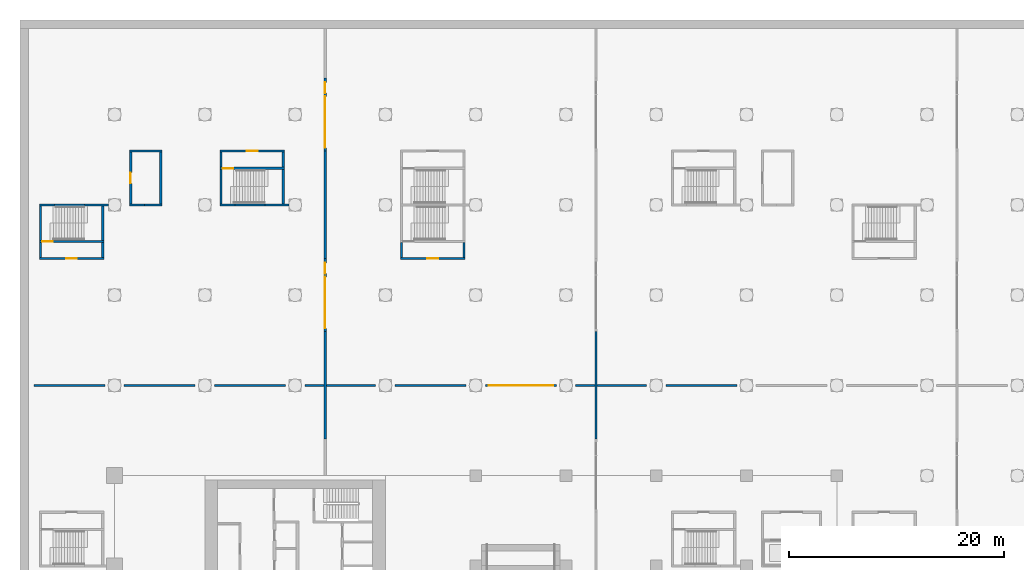
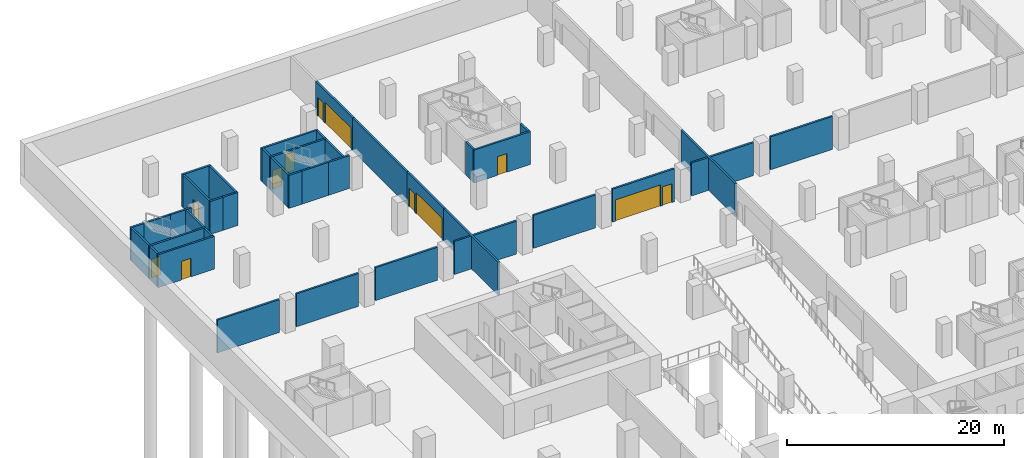
# One storey, part 9 of 19: 41 walls, 12 doors, 12 openings.
"""IFC4 building model written with IfcOpenShell, lengths in metres."""

from ifc_helpers import new_model, si_unit, direction, frame, frame_2d, origin, place, context, subcontext, project, spatial, rectangle, extrude, material, layer, layer_set, type_object, element, fill, save


model = new_model("IFC4")

# Units and contexts
model_context = context("Model", 3, precision=1e-05, world=origin(), true_north=direction((0.0, 1.0)))
body_context = subcontext(model_context, "Body", "Model", "MODEL_VIEW")
ifc_project = project(units=[si_unit("LENGTHUNIT", "METRE"), si_unit("AREAUNIT", "SQUARE_METRE"), si_unit("VOLUMEUNIT", "CUBIC_METRE"), si_unit("PLANEANGLEUNIT", "RADIAN"), si_unit("MASSUNIT", "GRAM", prefix="KILO")], contexts=[model_context])

# Site, building, storey
site_placement = place(None, origin())
site = spatial("IfcSite", under=ifc_project, at=site_placement, CompositionType="ELEMENT")
building_placement = place(site_placement, origin())
building = spatial("IfcBuilding", under=site, at=building_placement, Name="Vermilion Gate Residences", CompositionType="ELEMENT")
storey_placement = place(building_placement, frame((0.0, 0.0, -8.0)))
storey = spatial("IfcBuildingStorey", under=building, at=storey_placement, Name="B2", CompositionType="ELEMENT", Elevation=-8.0)

# Wall, opening, door
ifc_material_1 = material(Name="Concrete blockwork", Category="masonry")
ifc_layer_1 = layer(ifc_material_1, 0.199951171875)
ifc_layer_set_1 = layer_set([ifc_layer_1], Name="FIRE WALL 200 EI 120 (AMENITY)")
wall_type_1 = type_object("IfcWallType", Name="FIRE WALL 200 EI 120 (AMENITY)", PredefinedType="PARTITIONING", material=ifc_layer_set_1)
wall_1_placement = place(storey_placement, frame((1.5, 84.10009765625, 0.0), z_axis=(0.0, 0.0, 1.0), x_axis=(0.0, 1.0, 0.0)))
wall_1 = element("IfcWall", 1, at=wall_1_placement, inside=storey, type_object=wall_type_1, Name="Fire-resisting wall 35", PredefinedType="PARTITIONING", context=body_context, shape_type="SweptSolid", body=[
    extrude(rectangle(XDim=4.7998046875, YDim=0.199951171875, at=frame_2d((2.39990234375, 0.0))), origin(), (0.0, 0.0, 1.0), 3.699951171875),
])
opening_1_placement = place(wall_1_placement, frame((1.89990234375, 0.0, 0.0)))
opening_1 = element("IfcOpeningElement", 2, at=opening_1_placement, cuts=wall_1, Name="Opening DMB2045", PredefinedType="OPENING", context=body_context, shape_type="SweptSolid", body=[
    extrude(rectangle(XDim=1.0, YDim=2.10009765625, at=frame_2d((0.5, 1.050048828125))), frame((0.0, 0.10986328125, 0.0), z_axis=(0.0, -1.0, 0.0), x_axis=(1.0, 0.0, 0.0)), (0.0, 0.0, 1.0), 0.219970703125),
])
ifc_material_2 = material(Name="Steel", Category="steel")
door_type_1 = type_object("IfcDoorType", Name="DOOR 1000 X 2100 FD60 (AMENITY)", OperationType="SINGLE_SWING_LEFT", PredefinedType="DOOR", material=ifc_material_2)
door_1_placement = place(opening_1_placement, origin())
door_1 = element("IfcDoor", 3, at=door_1_placement, inside=storey, type_object=door_type_1, Name="Door B2 45", OperationType="SINGLE_SWING_LEFT", OverallHeight=2.10009765625, OverallWidth=1.0, PredefinedType="DOOR", context=body_context, shape_type="SweptSolid", body=[
    extrude(rectangle(XDim=1.0, YDim=2.10009765625, at=frame_2d((0.5, 1.050048828125))), frame((0.0, 0.02490234375, 0.0), z_axis=(0.0, -1.0, 0.0), x_axis=(1.0, 0.0, 0.0)), (0.0, 0.0, 1.0), 0.050048828125),
])
fill(opening_1, door_1)

# Walls
wall_2_placement = place(storey_placement, frame((1.39990234375, 84.0, 0.0), z_axis=(0.0, 0.0, 1.0), x_axis=(1.0, 0.0, 0.0)))
element("IfcWall", 4, at=wall_2_placement, inside=storey, type_object=wall_type_1, Name="Fire-resisting wall 36", PredefinedType="PARTITIONING", context=body_context, shape_type="SweptSolid", body=[
    extrude(rectangle(XDim=1.400146484375, YDim=0.199951171875, at=frame_2d((0.7001953125, 0.0))), origin(), (0.0, 0.0, 1.0), 3.699951171875),
])
wall_3_placement = place(storey_placement, frame((1.39990234375, 89.0, 0.0), z_axis=(0.0, 0.0, 1.0), x_axis=(1.0, 0.0, 0.0)))
element("IfcWall", 5, at=wall_3_placement, inside=storey, type_object=wall_type_1, Name="Fire-resisting wall 37", PredefinedType="PARTITIONING", context=body_context, shape_type="SweptSolid", body=[
    extrude(rectangle(XDim=3.0, YDim=0.199951171875, at=frame_2d((1.5, 0.0))), origin(), (0.0, 0.0, 1.0), 3.699951171875),
])
wall_4_placement = place(storey_placement, frame((2.800048828125, 84.0, 0.0), z_axis=(0.0, 0.0, 1.0), x_axis=(1.0, 0.0, 0.0)))
element("IfcWall", 6, at=wall_4_placement, inside=storey, type_object=wall_type_1, Name="Fire-resisting wall 38", PredefinedType="PARTITIONING", context=body_context, shape_type="SweptSolid", body=[
    extrude(rectangle(XDim=1.599853515625, YDim=0.199951171875, at=frame_2d((0.7998046875, 0.0))), origin(), (0.0, 0.0, 1.0), 3.699951171875),
])
wall_5_placement = place(storey_placement, frame((4.300048828125, 84.10009765625, 0.0), z_axis=(0.0, 0.0, 1.0), x_axis=(0.0, 1.0, 0.0)))
element("IfcWall", 7, at=wall_5_placement, inside=storey, type_object=wall_type_1, Name="Fire-resisting wall 39", PredefinedType="PARTITIONING", context=body_context, shape_type="SweptSolid", body=[
    extrude(rectangle(XDim=4.7998046875, YDim=0.199951171875, at=frame_2d((2.39990234375, 0.0))), origin(), (0.0, 0.0, 1.0), 3.699951171875),
])
ifc_material_3 = material(Name="Concrete blockwork", Category="masonry")
ifc_layer_2 = layer(ifc_material_3, 0.199951171875)
ifc_layer_set_2 = layer_set([ifc_layer_2], Name="GARAGE FIRE WALL 200 EI 120 (AMENITY)")
wall_type_2 = type_object("IfcWallType", Name="GARAGE FIRE WALL 200 EI 120 (AMENITY)", PredefinedType="PARTITIONING", material=ifc_layer_set_2)
wall_6_placement = place(storey_placement, frame((19.60009765625, 62.199951171875, 0.0), z_axis=(0.0, 0.0, 1.0), x_axis=(0.0, 1.0, 0.0)))
element("IfcWall", 8, at=wall_6_placement, inside=storey, type_object=wall_type_2, Name="Fire compartment wall", PredefinedType="PARTITIONING", context=body_context, shape_type="SweptSolid", body=[
    extrude(rectangle(XDim=10.0, YDim=0.199951171875, at=frame_2d((5.0, 0.0))), origin(), (0.0, 0.0, 1.0), 3.699951171875),
])

# Wall, openings, doors
wall_7_placement = place(storey_placement, frame((19.60009765625, 72.199951171875, 0.0), z_axis=(0.0, 0.0, 1.0), x_axis=(0.0, 1.0, 0.0)))
wall_7 = element("IfcWall", 9, at=wall_7_placement, inside=storey, type_object=wall_type_2, Name="Fire compartment wall", PredefinedType="PARTITIONING", context=body_context, shape_type="SweptSolid", body=[
    extrude(rectangle(XDim=6.800048828125, YDim=0.199951171875, at=frame_2d((3.39990234375, 0.0))), origin(), (0.0, 0.0, 1.0), 3.699951171875),
])
opening_2_placement = place(wall_7_placement, frame((0.300048828125, 0.0, 0.0)))
opening_2 = element("IfcOpeningElement", 10, at=opening_2_placement, cuts=wall_7, Name="Opening DGB2005", PredefinedType="OPENING", context=body_context, shape_type="SweptSolid", body=[
    extrude(rectangle(XDim=4.800048828125, YDim=2.39990234375, at=frame_2d((2.39990234375, 1.199951171875))), frame((0.0, 0.10986328125, 0.0), z_axis=(0.0, -1.0, 0.0), x_axis=(1.0, 0.0, 0.0)), (0.0, 0.0, 1.0), 0.219970703125),
])
opening_3_placement = place(wall_7_placement, frame((5.39990234375, 0.0, 0.0)))
opening_3 = element("IfcOpeningElement", 11, at=opening_3_placement, cuts=wall_7, Name="Opening DGB2006", PredefinedType="OPENING", context=body_context, shape_type="SweptSolid", body=[
    extrude(rectangle(XDim=1.0, YDim=2.10009765625, at=frame_2d((0.5, 1.050048828125))), frame((0.0, 0.10986328125, 0.0), z_axis=(0.0, -1.0, 0.0), x_axis=(1.0, 0.0, 0.0)), (0.0, 0.0, 1.0), 0.219970703125),
])
ifc_material_4 = material(Name="Steel", Category="steel")
door_type_2 = type_object("IfcDoorType", Name="DOOR 1000 X 2100 FD120 (AMENITY)", OperationType="SINGLE_SWING_LEFT", PredefinedType="DOOR", material=ifc_material_4)
door_2_placement = place(opening_3_placement, origin())
door_2 = element("IfcDoor", 12, at=door_2_placement, inside=storey, type_object=door_type_2, Name="Fire door", OperationType="SINGLE_SWING_LEFT", OverallHeight=2.10009765625, OverallWidth=1.0, PredefinedType="DOOR", context=body_context, shape_type="SweptSolid", body=[
    extrude(rectangle(XDim=1.0, YDim=2.10009765625, at=frame_2d((0.5, 1.050048828125))), frame((0.0, 0.02490234375, 0.0), z_axis=(0.0, -1.0, 0.0), x_axis=(1.0, 0.0, 0.0)), (0.0, 0.0, 1.0), 0.050048828125),
])
fill(opening_3, door_2)
ifc_material_5 = material(Name="Steel", Category="steel")
door_type_3 = type_object("IfcDoorType", Name="FIRE SHUTTER 4800 X 2400 (AMENITY)", OperationType="ROLLINGUP", PredefinedType="GATE", material=ifc_material_5)
door_3_placement = place(opening_2_placement, origin())
door_3 = element("IfcDoor", 13, at=door_3_placement, inside=storey, type_object=door_type_3, Name="Fire shutter", OperationType="ROLLINGUP", OverallHeight=2.39990234375, OverallWidth=4.800048828125, PredefinedType="GATE", context=body_context, shape_type="SweptSolid", body=[
    extrude(rectangle(XDim=4.800048828125, YDim=2.39990234375, at=frame_2d((2.39990234375, 1.199951171875))), frame((0.0, 0.02490234375, 0.0), z_axis=(0.0, -1.0, 0.0), x_axis=(1.0, 0.0, 0.0)), (0.0, 0.0, 1.0), 0.050048828125),
])
fill(opening_2, door_3)

# Wall
wall_8_placement = place(storey_placement, frame((19.60009765625, 79.0, 0.0), z_axis=(0.0, 0.0, 1.0), x_axis=(0.0, 1.0, 0.0)))
element("IfcWall", 14, at=wall_8_placement, inside=storey, type_object=wall_type_2, Name="Fire compartment wall", PredefinedType="PARTITIONING", context=body_context, shape_type="SweptSolid", body=[
    extrude(rectangle(XDim=10.0, YDim=0.199951171875, at=frame_2d((5.0, 0.0))), origin(), (0.0, 0.0, 1.0), 3.699951171875),
])

# Wall, openings, doors
wall_9_placement = place(storey_placement, frame((19.60009765625, 89.0, 0.0), z_axis=(0.0, 0.0, 1.0), x_axis=(0.0, 1.0, 0.0)))
wall_9 = element("IfcWall", 15, at=wall_9_placement, inside=storey, type_object=wall_type_2, Name="Fire compartment wall", PredefinedType="PARTITIONING", context=body_context, shape_type="SweptSolid", body=[
    extrude(rectangle(XDim=6.800048828125, YDim=0.199951171875, at=frame_2d((3.39990234375, 0.0))), origin(), (0.0, 0.0, 1.0), 3.699951171875),
])
opening_4_placement = place(wall_9_placement, frame((0.300048828125, 0.0, 0.0)))
opening_4 = element("IfcOpeningElement", 16, at=opening_4_placement, cuts=wall_9, Name="Opening DGB2007", PredefinedType="OPENING", context=body_context, shape_type="SweptSolid", body=[
    extrude(rectangle(XDim=4.800048828125, YDim=2.39990234375, at=frame_2d((2.39990234375, 1.199951171875))), frame((0.0, 0.10986328125, 0.0), z_axis=(0.0, -1.0, 0.0), x_axis=(1.0, 0.0, 0.0)), (0.0, 0.0, 1.0), 0.219970703125),
])
opening_5_placement = place(wall_9_placement, frame((5.39990234375, 0.0, 0.0)))
opening_5 = element("IfcOpeningElement", 17, at=opening_5_placement, cuts=wall_9, Name="Opening DGB2008", PredefinedType="OPENING", context=body_context, shape_type="SweptSolid", body=[
    extrude(rectangle(XDim=1.0, YDim=2.10009765625, at=frame_2d((0.5, 1.050048828125))), frame((0.0, 0.10986328125, 0.0), z_axis=(0.0, -1.0, 0.0), x_axis=(1.0, 0.0, 0.0)), (0.0, 0.0, 1.0), 0.219970703125),
])
door_4_placement = place(opening_5_placement, frame((1.0, 0.0, 0.0), z_axis=(0.0, 0.0, 1.0), x_axis=(-1.0, 0.0, 0.0)))
door_4 = element("IfcDoor", 18, at=door_4_placement, inside=storey, type_object=door_type_2, Name="Fire door", OperationType="SINGLE_SWING_RIGHT", OverallHeight=2.10009765625, OverallWidth=1.0, PredefinedType="DOOR", context=body_context, shape_type="SweptSolid", body=[
    extrude(rectangle(XDim=1.0, YDim=2.10009765625, at=frame_2d((0.5, 1.050048828125))), frame((0.0, 0.02490234375, 0.0), z_axis=(0.0, -1.0, 0.0), x_axis=(1.0, 0.0, 0.0)), (0.0, 0.0, 1.0), 0.050048828125),
])
fill(opening_5, door_4)
door_5_placement = place(opening_4_placement, origin())
door_5 = element("IfcDoor", 19, at=door_5_placement, inside=storey, type_object=door_type_3, Name="Fire shutter", OperationType="ROLLINGUP", OverallHeight=2.39990234375, OverallWidth=4.800048828125, PredefinedType="GATE", context=body_context, shape_type="SweptSolid", body=[
    extrude(rectangle(XDim=4.800048828125, YDim=2.39990234375, at=frame_2d((2.39990234375, 1.199951171875))), frame((0.0, 0.02490234375, 0.0), z_axis=(0.0, -1.0, 0.0), x_axis=(1.0, 0.0, 0.0)), (0.0, 0.0, 1.0), 0.050048828125),
])
fill(opening_4, door_5)

# Walls
wall_10_placement = place(storey_placement, frame((44.800048828125, 62.199951171875, 0.0), z_axis=(0.0, 0.0, 1.0), x_axis=(0.0, 1.0, 0.0)))
element("IfcWall", 20, at=wall_10_placement, inside=storey, type_object=wall_type_2, Name="Fire compartment wall", PredefinedType="PARTITIONING", context=body_context, shape_type="SweptSolid", body=[
    extrude(rectangle(XDim=10.0, YDim=0.199951171875, at=frame_2d((5.0, 0.0))), origin(), (0.0, 0.0, 1.0), 3.699951171875),
])
for number, where, z_axis, x_axis, name in (
    (21, (-7.5, 67.199951171875, 0.0), (0.0, 0.0, 1.0), (1.0, 0.0, 0.0), "Fire compartment wall"),
    (22, (0.89990234375, 67.199951171875, 0.0), (0.0, 0.0, 1.0), (1.0, 0.0, 0.0), "Fire compartment wall"),
):
    element("IfcWall", number, at=place(storey_placement, frame(where, z_axis=z_axis, x_axis=x_axis)), inside=storey, type_object=wall_type_2, Name=name, PredefinedType="PARTITIONING", context=body_context, shape_type="SweptSolid", body=[
        extrude(rectangle(XDim=6.60009765625, YDim=0.199951171875, at=frame_2d((3.300048828125, 0.0))), origin(), (0.0, 0.0, 1.0), 3.699951171875),
    ])
wall_11_placement = place(storey_placement, frame((9.300048828125, 67.199951171875, 0.0), z_axis=(0.0, 0.0, 1.0), x_axis=(1.0, 0.0, 0.0)))
element("IfcWall", 23, at=wall_11_placement, inside=storey, type_object=wall_type_2, Name="Fire compartment wall", PredefinedType="PARTITIONING", context=body_context, shape_type="SweptSolid", body=[
    extrude(rectangle(XDim=6.599853515625, YDim=0.199951171875, at=frame_2d((3.2998046875, 0.0))), origin(), (0.0, 0.0, 1.0), 3.699951171875),
])
wall_12_placement = place(storey_placement, frame((17.699951171875, 67.199951171875, 0.0), z_axis=(0.0, 0.0, 1.0), x_axis=(1.0, 0.0, 0.0)))
element("IfcWall", 24, at=wall_12_placement, inside=storey, type_object=wall_type_2, Name="Fire compartment wall", PredefinedType="PARTITIONING", context=body_context, shape_type="SweptSolid", body=[
    extrude(rectangle(XDim=1.800048828125, YDim=0.199951171875, at=frame_2d((0.89990234375, 0.0))), origin(), (0.0, 0.0, 1.0), 3.699951171875),
])
wall_13_placement = place(storey_placement, frame((19.699951171875, 67.199951171875, 0.0), z_axis=(0.0, 0.0, 1.0), x_axis=(1.0, 0.0, 0.0)))
element("IfcWall", 25, at=wall_13_placement, inside=storey, type_object=wall_type_2, Name="Fire compartment wall", PredefinedType="PARTITIONING", context=body_context, shape_type="SweptSolid", body=[
    extrude(rectangle(XDim=4.60009765625, YDim=0.199951171875, at=frame_2d((2.300048828125, 0.0))), origin(), (0.0, 0.0, 1.0), 3.699951171875),
])
wall_14_placement = place(storey_placement, frame((26.10009765625, 67.199951171875, 0.0), z_axis=(0.0, 0.0, 1.0), x_axis=(1.0, 0.0, 0.0)))
element("IfcWall", 26, at=wall_14_placement, inside=storey, type_object=wall_type_2, Name="Fire compartment wall", PredefinedType="PARTITIONING", context=body_context, shape_type="SweptSolid", body=[
    extrude(rectangle(XDim=6.599853515625, YDim=0.199951171875, at=frame_2d((3.2998046875, 0.0))), origin(), (0.0, 0.0, 1.0), 3.699951171875),
])

# Wall, openings, doors
wall_15_placement = place(storey_placement, frame((34.5, 67.199951171875, 0.0), z_axis=(0.0, 0.0, 1.0), x_axis=(1.0, 0.0, 0.0)))
wall_15 = element("IfcWall", 27, at=wall_15_placement, inside=storey, type_object=wall_type_2, Name="Fire compartment wall", PredefinedType="PARTITIONING", context=body_context, shape_type="SweptSolid", body=[
    extrude(rectangle(XDim=6.60009765625, YDim=0.199951171875, at=frame_2d((3.300048828125, 0.0))), origin(), (0.0, 0.0, 1.0), 3.699951171875),
])
opening_6_placement = place(wall_15_placement, frame((0.300048828125, 0.0, 0.0)))
opening_6 = element("IfcOpeningElement", 28, at=opening_6_placement, cuts=wall_15, Name="Opening DGB2101", PredefinedType="OPENING", context=body_context, shape_type="SweptSolid", body=[
    extrude(rectangle(XDim=4.800048828125, YDim=2.39990234375, at=frame_2d((2.39990234375, 1.199951171875))), frame((0.0, 0.10986328125, 0.0), z_axis=(0.0, -1.0, 0.0), x_axis=(1.0, 0.0, 0.0)), (0.0, 0.0, 1.0), 0.219970703125),
])
opening_7_placement = place(wall_15_placement, frame((5.300048828125, 0.0, 0.0)))
opening_7 = element("IfcOpeningElement", 29, at=opening_7_placement, cuts=wall_15, Name="Opening DGB2102", PredefinedType="OPENING", context=body_context, shape_type="SweptSolid", body=[
    extrude(rectangle(XDim=1.0, YDim=2.10009765625, at=frame_2d((0.5, 1.050048828125))), frame((0.0, 0.10986328125, 0.0), z_axis=(0.0, -1.0, 0.0), x_axis=(1.0, 0.0, 0.0)), (0.0, 0.0, 1.0), 0.219970703125),
])
door_6_placement = place(opening_7_placement, frame((1.0, 0.0, 0.0), z_axis=(0.0, 0.0, 1.0), x_axis=(-1.0, 0.0, 0.0)))
door_6 = element("IfcDoor", 30, at=door_6_placement, inside=storey, type_object=door_type_2, Name="Fire door", OperationType="SINGLE_SWING_LEFT", OverallHeight=2.10009765625, OverallWidth=1.0, PredefinedType="DOOR", context=body_context, shape_type="SweptSolid", body=[
    extrude(rectangle(XDim=1.0, YDim=2.10009765625, at=frame_2d((0.5, 1.050048828125))), frame((0.0, 0.02490234375, 0.0), z_axis=(0.0, -1.0, 0.0), x_axis=(1.0, 0.0, 0.0)), (0.0, 0.0, 1.0), 0.050048828125),
])
fill(opening_7, door_6)
door_7_placement = place(opening_6_placement, origin())
door_7 = element("IfcDoor", 31, at=door_7_placement, inside=storey, type_object=door_type_3, Name="Fire shutter", OperationType="ROLLINGUP", OverallHeight=2.39990234375, OverallWidth=4.800048828125, PredefinedType="GATE", context=body_context, shape_type="SweptSolid", body=[
    extrude(rectangle(XDim=4.800048828125, YDim=2.39990234375, at=frame_2d((2.39990234375, 1.199951171875))), frame((0.0, 0.02490234375, 0.0), z_axis=(0.0, -1.0, 0.0), x_axis=(1.0, 0.0, 0.0)), (0.0, 0.0, 1.0), 0.050048828125),
])
fill(opening_6, door_7)

# Walls
wall_16_placement = place(storey_placement, frame((42.89990234375, 67.199951171875, 0.0), z_axis=(0.0, 0.0, 1.0), x_axis=(1.0, 0.0, 0.0)))
element("IfcWall", 32, at=wall_16_placement, inside=storey, type_object=wall_type_2, Name="Fire compartment wall", PredefinedType="PARTITIONING", context=body_context, shape_type="SweptSolid", body=[
    extrude(rectangle(XDim=1.800048828125, YDim=0.199951171875, at=frame_2d((0.89990234375, 0.0))), origin(), (0.0, 0.0, 1.0), 3.699951171875),
])
wall_17_placement = place(storey_placement, frame((44.89990234375, 67.199951171875, 0.0), z_axis=(0.0, 0.0, 1.0), x_axis=(1.0, 0.0, 0.0)))
element("IfcWall", 33, at=wall_17_placement, inside=storey, type_object=wall_type_2, Name="Fire compartment wall", PredefinedType="PARTITIONING", context=body_context, shape_type="SweptSolid", body=[
    extrude(rectangle(XDim=4.60009765625, YDim=0.199951171875, at=frame_2d((2.300048828125, 0.0))), origin(), (0.0, 0.0, 1.0), 3.699951171875),
])
wall_18_placement = place(storey_placement, frame((51.300048828125, 67.199951171875, 0.0), z_axis=(0.0, 0.0, 1.0), x_axis=(1.0, 0.0, 0.0)))
element("IfcWall", 34, at=wall_18_placement, inside=storey, type_object=wall_type_2, Name="Fire compartment wall", PredefinedType="PARTITIONING", context=body_context, shape_type="SweptSolid", body=[
    extrude(rectangle(XDim=6.599853515625, YDim=0.199951171875, at=frame_2d((3.2998046875, 0.0))), origin(), (0.0, 0.0, 1.0), 3.699951171875),
])
ifc_material_6 = material(Name="Concrete C40", Category="concrete")
ifc_layer_3 = layer(ifc_material_6, 0.199951171875)
ifc_layer_set_3 = layer_set([ifc_layer_3], Name="RC STAIR AND SHAFT WALL 200 EI 180 C40 (AMENITY)")
wall_type_3 = type_object("IfcWallType", Name="RC STAIR AND SHAFT WALL 200 EI 180 C40 (AMENITY)", PredefinedType="SOLIDWALL", material=ifc_layer_set_3)
wall_19_placement = place(storey_placement, frame((-6.89990234375, 79.10009765625, 0.0), z_axis=(0.0, 0.0, 1.0), x_axis=(0.0, 1.0, 0.0)))
element("IfcWall", 35, at=wall_19_placement, inside=storey, type_object=wall_type_3, Name="Stair and shaft wall 14", PredefinedType="SOLIDWALL", context=body_context, shape_type="SweptSolid", body=[
    extrude(rectangle(XDim=1.39990234375, YDim=0.199951171875, at=frame_2d((0.699951171875, 0.0))), origin(), (0.0, 0.0, 1.0), 3.699951171875),
])

# Wall, opening, door
wall_20_placement = place(storey_placement, frame((-7.0, 79.0, 0.0), z_axis=(0.0, 0.0, 1.0), x_axis=(1.0, 0.0, 0.0)))
wall_20 = element("IfcWall", 36, at=wall_20_placement, inside=storey, type_object=wall_type_3, Name="Stair and shaft wall 15", PredefinedType="SOLIDWALL", context=body_context, shape_type="SweptSolid", body=[
    extrude(rectangle(XDim=6.0, YDim=0.199951171875, at=frame_2d((3.0, 0.0))), origin(), (0.0, 0.0, 1.0), 3.699951171875),
])
opening_8_placement = place(wall_20_placement, frame((2.5, 0.0, 0.0)))
opening_8 = element("IfcOpeningElement", 37, at=opening_8_placement, cuts=wall_20, Name="Opening DMB2017", PredefinedType="OPENING", context=body_context, shape_type="SweptSolid", body=[
    extrude(rectangle(XDim=1.0, YDim=2.10009765625, at=frame_2d((0.5, 1.050048828125))), frame((0.0, 0.10986328125, 0.0), z_axis=(0.0, -1.0, 0.0), x_axis=(1.0, 0.0, 0.0)), (0.0, 0.0, 1.0), 0.219970703125),
])
door_8_placement = place(opening_8_placement, frame((1.0, 0.0, 0.0), z_axis=(0.0, 0.0, 1.0), x_axis=(-1.0, 0.0, 0.0)))
door_8 = element("IfcDoor", 38, at=door_8_placement, inside=storey, type_object=door_type_1, Name="Door B2 17", OperationType="SINGLE_SWING_RIGHT", OverallHeight=2.10009765625, OverallWidth=1.0, PredefinedType="DOOR", context=body_context, shape_type="SweptSolid", body=[
    extrude(rectangle(XDim=1.0, YDim=2.10009765625, at=frame_2d((0.5, 1.050048828125))), frame((0.0, 0.02490234375, 0.0), z_axis=(0.0, -1.0, 0.0), x_axis=(1.0, 0.0, 0.0)), (0.0, 0.0, 1.0), 0.050048828125),
])
fill(opening_8, door_8)

# Wall
wall_21_placement = place(storey_placement, frame((-6.89990234375, 80.699951171875, 0.0), z_axis=(0.0, 0.0, 1.0), x_axis=(0.0, 1.0, 0.0)))
element("IfcWall", 39, at=wall_21_placement, inside=storey, type_object=wall_type_3, Name="Stair and shaft wall 16", PredefinedType="SOLIDWALL", context=body_context, shape_type="SweptSolid", body=[
    extrude(rectangle(XDim=3.199951171875, YDim=0.199951171875, at=frame_2d((1.60009765625, 0.0))), origin(), (0.0, 0.0, 1.0), 3.699951171875),
])

# Wall, opening, door
wall_22_placement = place(storey_placement, frame((-7.0, 80.60009765625, 0.0), z_axis=(0.0, 0.0, 1.0), x_axis=(1.0, 0.0, 0.0)))
wall_22 = element("IfcWall", 40, at=wall_22_placement, inside=storey, type_object=wall_type_3, Name="Stair and shaft wall 17", PredefinedType="SOLIDWALL", context=body_context, shape_type="SweptSolid", body=[
    extrude(rectangle(XDim=6.0, YDim=0.199951171875, at=frame_2d((3.0, 0.0))), origin(), (0.0, 0.0, 1.0), 3.699951171875),
])
opening_9_placement = place(wall_22_placement, frame((0.25, 0.0, 0.0)))
opening_9 = element("IfcOpeningElement", 41, at=opening_9_placement, cuts=wall_22, Name="Opening DMB2018", PredefinedType="OPENING", context=body_context, shape_type="SweptSolid", body=[
    extrude(rectangle(XDim=1.0, YDim=2.10009765625, at=frame_2d((0.5, 1.050048828125))), frame((0.0, 0.10986328125, 0.0), z_axis=(0.0, -1.0, 0.0), x_axis=(1.0, 0.0, 0.0)), (0.0, 0.0, 1.0), 0.219970703125),
])
door_9_placement = place(opening_9_placement, origin())
door_9 = element("IfcDoor", 42, at=door_9_placement, inside=storey, type_object=door_type_1, Name="Door B2 18", OperationType="SINGLE_SWING_RIGHT", OverallHeight=2.10009765625, OverallWidth=1.0, PredefinedType="DOOR", context=body_context, shape_type="SweptSolid", body=[
    extrude(rectangle(XDim=1.0, YDim=2.10009765625, at=frame_2d((0.5, 1.050048828125))), frame((0.0, 0.02490234375, 0.0), z_axis=(0.0, -1.0, 0.0), x_axis=(1.0, 0.0, 0.0)), (0.0, 0.0, 1.0), 0.050048828125),
])
fill(opening_9, door_9)

# Walls
wall_23_placement = place(storey_placement, frame((-7.0, 84.0, 0.0), z_axis=(0.0, 0.0, 1.0), x_axis=(1.0, 0.0, 0.0)))
element("IfcWall", 43, at=wall_23_placement, inside=storey, type_object=wall_type_3, Name="Stair and shaft wall 18", PredefinedType="SOLIDWALL", context=body_context, shape_type="SweptSolid", body=[
    extrude(rectangle(XDim=1.39990234375, YDim=0.199951171875, at=frame_2d((0.699951171875, 0.0))), origin(), (0.0, 0.0, 1.0), 3.699951171875),
])
wall_24_placement = place(storey_placement, frame((-5.60009765625, 84.0, 0.0), z_axis=(0.0, 0.0, 1.0), x_axis=(1.0, 0.0, 0.0)))
element("IfcWall", 44, at=wall_24_placement, inside=storey, type_object=wall_type_3, Name="Stair and shaft wall 22", PredefinedType="SOLIDWALL", context=body_context, shape_type="SweptSolid", body=[
    extrude(rectangle(XDim=2.800048828125, YDim=0.199951171875, at=frame_2d((1.39990234375, 0.0))), origin(), (0.0, 0.0, 1.0), 3.699951171875),
])
wall_25_placement = place(storey_placement, frame((-2.800048828125, 84.0, 0.0), z_axis=(0.0, 0.0, 1.0), x_axis=(1.0, 0.0, 0.0)))
element("IfcWall", 45, at=wall_25_placement, inside=storey, type_object=wall_type_3, Name="Stair and shaft wall 26", PredefinedType="SOLIDWALL", context=body_context, shape_type="SweptSolid", body=[
    extrude(rectangle(XDim=2.25, YDim=0.199951171875, at=frame_2d((1.125, 0.0))), origin(), (0.0, 0.0, 1.0), 3.699951171875),
])
wall_26_placement = place(storey_placement, frame((-1.10009765625, 79.10009765625, 0.0), z_axis=(0.0, 0.0, 1.0), x_axis=(0.0, 1.0, 0.0)))
element("IfcWall", 46, at=wall_26_placement, inside=storey, type_object=wall_type_3, Name="Stair and shaft wall 31", PredefinedType="SOLIDWALL", context=body_context, shape_type="SweptSolid", body=[
    extrude(rectangle(XDim=1.39990234375, YDim=0.199951171875, at=frame_2d((0.699951171875, 0.0))), origin(), (0.0, 0.0, 1.0), 3.699951171875),
])
for number, where, z_axis, x_axis, name in (
    (47, (-1.10009765625, 80.699951171875, 0.0), (0.0, 0.0, 1.0), (0.0, 1.0, 0.0), "Stair and shaft wall 32"),
    (48, (9.89990234375, 84.10009765625, 0.0), (0.0, 0.0, 1.0), (0.0, 1.0, 0.0), "Stair and shaft wall 40"),
):
    element("IfcWall", number, at=place(storey_placement, frame(where, z_axis=z_axis, x_axis=x_axis)), inside=storey, type_object=wall_type_3, Name=name, PredefinedType="SOLIDWALL", context=body_context, shape_type="SweptSolid", body=[
        extrude(rectangle(XDim=3.199951171875, YDim=0.199951171875, at=frame_2d((1.60009765625, 0.0))), origin(), (0.0, 0.0, 1.0), 3.699951171875),
    ])
for number, where, z_axis, x_axis, name in (
    (49, (9.800048828125, 84.0, 0.0), (0.0, 0.0, 1.0), (1.0, 0.0, 0.0), "Stair and shaft wall 41"),
    (50, (9.89990234375, 87.5, 0.0), (0.0, 0.0, 1.0), (0.0, 1.0, 0.0), "Stair and shaft wall 42"),
):
    element("IfcWall", number, at=place(storey_placement, frame(where, z_axis=z_axis, x_axis=x_axis)), inside=storey, type_object=wall_type_3, Name=name, PredefinedType="SOLIDWALL", context=body_context, shape_type="SweptSolid", body=[
        extrude(rectangle(XDim=1.39990234375, YDim=0.199951171875, at=frame_2d((0.699951171875, 0.0))), origin(), (0.0, 0.0, 1.0), 3.699951171875),
    ])

# Wall, opening, door
wall_27_placement = place(storey_placement, frame((9.800048828125, 87.39990234375, 0.0), z_axis=(0.0, 0.0, 1.0), x_axis=(1.0, 0.0, 0.0)))
wall_27 = element("IfcWall", 51, at=wall_27_placement, inside=storey, type_object=wall_type_3, Name="Stair and shaft wall 43", PredefinedType="SOLIDWALL", context=body_context, shape_type="SweptSolid", body=[
    extrude(rectangle(XDim=6.0, YDim=0.199951171875, at=frame_2d((3.0, 0.0))), origin(), (0.0, 0.0, 1.0), 3.699951171875),
])
opening_10_placement = place(wall_27_placement, frame((0.25, 0.0, 0.0)))
opening_10 = element("IfcOpeningElement", 52, at=opening_10_placement, cuts=wall_27, Name="Opening DMB2020", PredefinedType="OPENING", context=body_context, shape_type="SweptSolid", body=[
    extrude(rectangle(XDim=1.0, YDim=2.10009765625, at=frame_2d((0.5, 1.050048828125))), frame((0.0, 0.10986328125, 0.0), z_axis=(0.0, -1.0, 0.0), x_axis=(1.0, 0.0, 0.0)), (0.0, 0.0, 1.0), 0.219970703125),
])
door_10_placement = place(opening_10_placement, frame((1.0, 0.0, 0.0), z_axis=(0.0, 0.0, 1.0), x_axis=(-1.0, 0.0, 0.0)))
door_10 = element("IfcDoor", 53, at=door_10_placement, inside=storey, type_object=door_type_1, Name="Door B2 20", OperationType="SINGLE_SWING_RIGHT", OverallHeight=2.10009765625, OverallWidth=1.0, PredefinedType="DOOR", context=body_context, shape_type="SweptSolid", body=[
    extrude(rectangle(XDim=1.0, YDim=2.10009765625, at=frame_2d((0.5, 1.050048828125))), frame((0.0, 0.02490234375, 0.0), z_axis=(0.0, -1.0, 0.0), x_axis=(1.0, 0.0, 0.0)), (0.0, 0.0, 1.0), 0.050048828125),
])
fill(opening_10, door_10)

wall_28_placement = place(storey_placement, frame((9.800048828125, 89.0, 0.0), z_axis=(0.0, 0.0, 1.0), x_axis=(1.0, 0.0, 0.0)))
wall_28 = element("IfcWall", 54, at=wall_28_placement, inside=storey, type_object=wall_type_3, Name="Stair and shaft wall 44", PredefinedType="SOLIDWALL", context=body_context, shape_type="SweptSolid", body=[
    extrude(rectangle(XDim=6.0, YDim=0.199951171875, at=frame_2d((3.0, 0.0))), origin(), (0.0, 0.0, 1.0), 3.699951171875),
])
opening_11_placement = place(wall_28_placement, frame((2.5, 0.0, 0.0)))
opening_11 = element("IfcOpeningElement", 55, at=opening_11_placement, cuts=wall_28, Name="Opening DMB2019", PredefinedType="OPENING", context=body_context, shape_type="SweptSolid", body=[
    extrude(rectangle(XDim=1.0, YDim=2.10009765625, at=frame_2d((0.5, 1.050048828125))), frame((0.0, 0.10986328125, 0.0), z_axis=(0.0, -1.0, 0.0), x_axis=(1.0, 0.0, 0.0)), (0.0, 0.0, 1.0), 0.219970703125),
])
door_11_placement = place(opening_11_placement, origin())
door_11 = element("IfcDoor", 56, at=door_11_placement, inside=storey, type_object=door_type_1, Name="Door B2 19", OperationType="SINGLE_SWING_LEFT", OverallHeight=2.10009765625, OverallWidth=1.0, PredefinedType="DOOR", context=body_context, shape_type="SweptSolid", body=[
    extrude(rectangle(XDim=1.0, YDim=2.10009765625, at=frame_2d((0.5, 1.050048828125))), frame((0.0, 0.02490234375, 0.0), z_axis=(0.0, -1.0, 0.0), x_axis=(1.0, 0.0, 0.0)), (0.0, 0.0, 1.0), 0.050048828125),
])
fill(opening_11, door_11)

# Walls
wall_29_placement = place(storey_placement, frame((11.199951171875, 84.0, 0.0), z_axis=(0.0, 0.0, 1.0), x_axis=(1.0, 0.0, 0.0)))
element("IfcWall", 57, at=wall_29_placement, inside=storey, type_object=wall_type_3, Name="Stair and shaft wall 45", PredefinedType="SOLIDWALL", context=body_context, shape_type="SweptSolid", body=[
    extrude(rectangle(XDim=2.800048828125, YDim=0.199951171875, at=frame_2d((1.39990234375, 0.0))), origin(), (0.0, 0.0, 1.0), 3.699951171875),
])
wall_30_placement = place(storey_placement, frame((14.0, 84.0, 0.0), z_axis=(0.0, 0.0, 1.0), x_axis=(1.0, 0.0, 0.0)))
element("IfcWall", 58, at=wall_30_placement, inside=storey, type_object=wall_type_3, Name="Stair and shaft wall 46", PredefinedType="SOLIDWALL", context=body_context, shape_type="SweptSolid", body=[
    extrude(rectangle(XDim=2.25, YDim=0.199951171875, at=frame_2d((1.125, 0.0))), origin(), (0.0, 0.0, 1.0), 3.699951171875),
])
wall_31_placement = place(storey_placement, frame((15.699951171875, 84.10009765625, 0.0), z_axis=(0.0, 0.0, 1.0), x_axis=(0.0, 1.0, 0.0)))
element("IfcWall", 59, at=wall_31_placement, inside=storey, type_object=wall_type_3, Name="Stair and shaft wall 47", PredefinedType="SOLIDWALL", context=body_context, shape_type="SweptSolid", body=[
    extrude(rectangle(XDim=3.199951171875, YDim=0.199951171875, at=frame_2d((1.60009765625, 0.0))), origin(), (0.0, 0.0, 1.0), 3.699951171875),
])
for number, where, z_axis, x_axis, name in (
    (60, (15.699951171875, 87.5, 0.0), (0.0, 0.0, 1.0), (0.0, 1.0, 0.0), "Stair and shaft wall 48"),
    (61, (26.699951171875, 79.10009765625, 0.0), (0.0, 0.0, 1.0), (0.0, 1.0, 0.0), "Stair and shaft wall 52"),
):
    element("IfcWall", number, at=place(storey_placement, frame(where, z_axis=z_axis, x_axis=x_axis)), inside=storey, type_object=wall_type_3, Name=name, PredefinedType="SOLIDWALL", context=body_context, shape_type="SweptSolid", body=[
        extrude(rectangle(XDim=1.39990234375, YDim=0.199951171875, at=frame_2d((0.699951171875, 0.0))), origin(), (0.0, 0.0, 1.0), 3.699951171875),
    ])

# Wall, opening, door
wall_32_placement = place(storey_placement, frame((26.60009765625, 79.0, 0.0), z_axis=(0.0, 0.0, 1.0), x_axis=(1.0, 0.0, 0.0)))
wall_32 = element("IfcWall", 62, at=wall_32_placement, inside=storey, type_object=wall_type_3, Name="Stair and shaft wall 53", PredefinedType="SOLIDWALL", context=body_context, shape_type="SweptSolid", body=[
    extrude(rectangle(XDim=6.0, YDim=0.199951171875, at=frame_2d((3.0, 0.0))), origin(), (0.0, 0.0, 1.0), 3.699951171875),
])
opening_12_placement = place(wall_32_placement, frame((2.5, 0.0, 0.0)))
opening_12 = element("IfcOpeningElement", 63, at=opening_12_placement, cuts=wall_32, Name="Opening DMB2023", PredefinedType="OPENING", context=body_context, shape_type="SweptSolid", body=[
    extrude(rectangle(XDim=1.0, YDim=2.10009765625, at=frame_2d((0.5, 1.050048828125))), frame((0.0, 0.10986328125, 0.0), z_axis=(0.0, -1.0, 0.0), x_axis=(1.0, 0.0, 0.0)), (0.0, 0.0, 1.0), 0.219970703125),
])
door_12_placement = place(opening_12_placement, frame((1.0, 0.0, 0.0), z_axis=(0.0, 0.0, 1.0), x_axis=(-1.0, 0.0, 0.0)))
door_12 = element("IfcDoor", 64, at=door_12_placement, inside=storey, type_object=door_type_1, Name="Door B2 23", OperationType="SINGLE_SWING_RIGHT", OverallHeight=2.10009765625, OverallWidth=1.0, PredefinedType="DOOR", context=body_context, shape_type="SweptSolid", body=[
    extrude(rectangle(XDim=1.0, YDim=2.10009765625, at=frame_2d((0.5, 1.050048828125))), frame((0.0, 0.02490234375, 0.0), z_axis=(0.0, -1.0, 0.0), x_axis=(1.0, 0.0, 0.0)), (0.0, 0.0, 1.0), 0.050048828125),
])
fill(opening_12, door_12)

# Wall
wall_33_placement = place(storey_placement, frame((32.5, 79.10009765625, 0.0), z_axis=(0.0, 0.0, 1.0), x_axis=(0.0, 1.0, 0.0)))
element("IfcWall", 65, at=wall_33_placement, inside=storey, type_object=wall_type_3, Name="Stair and shaft wall 61", PredefinedType="SOLIDWALL", context=body_context, shape_type="SweptSolid", body=[
    extrude(rectangle(XDim=1.39990234375, YDim=0.199951171875, at=frame_2d((0.699951171875, 0.0))), origin(), (0.0, 0.0, 1.0), 3.699951171875),
])

save(model, "model.ifc")
